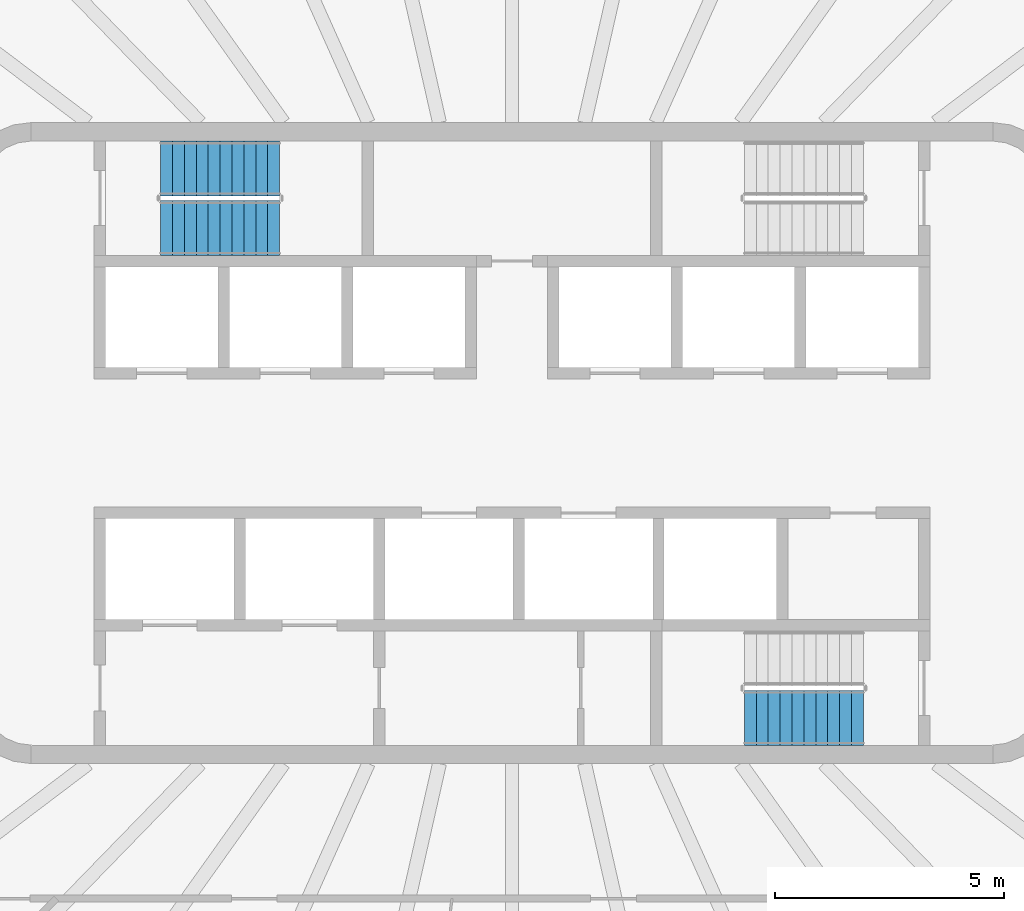
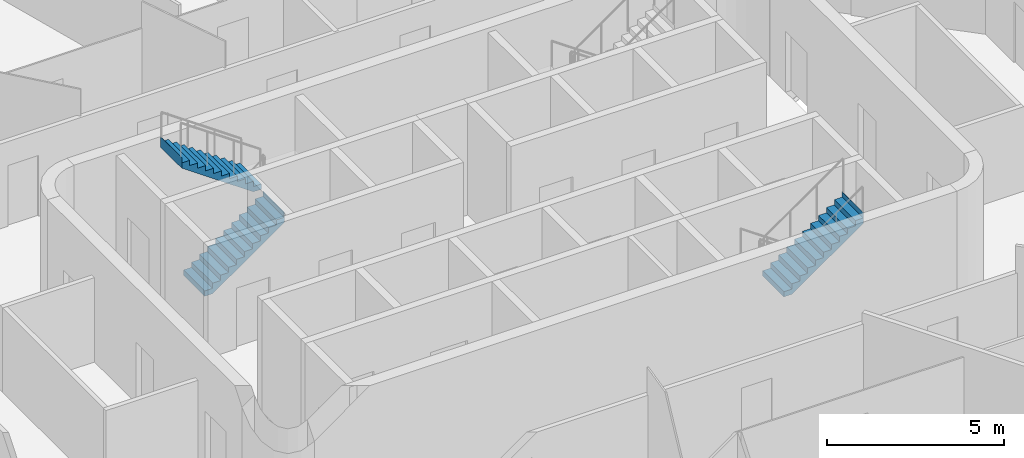
# One storey, part 14 of 21: 3 stair flights, 2 elements without a shape of their own.
"""IFC4 building model written with IfcOpenShell, lengths in metres."""

from ifc_helpers import new_model, si_unit, direction, frame, origin, place, context, subcontext, project, spatial, triangles, material, type_object, element, aggregate, save


model = new_model("IFC4")

# Units and contexts
model_context = context("Model", 3, precision=1e-05, world=origin(), true_north=direction((0.0, 1.0)))
body_context = subcontext(model_context, "Body", "Model", "MODEL_VIEW")
ifc_project = project(units=[si_unit("LENGTHUNIT", "METRE"), si_unit("AREAUNIT", "SQUARE_METRE"), si_unit("VOLUMEUNIT", "CUBIC_METRE"), si_unit("PLANEANGLEUNIT", "RADIAN"), si_unit("MASSUNIT", "GRAM", prefix="KILO")], contexts=[model_context])

# Site, building, storey
site_placement = place(None, origin())
site = spatial("IfcSite", under=ifc_project, at=site_placement, CompositionType="ELEMENT")
building_placement = place(site_placement, origin())
building = spatial("IfcBuilding", under=site, at=building_placement, Name="Sahrelin Media Tower", CompositionType="ELEMENT")
storey_placement = place(building_placement, frame((0.0, 0.0, 263.0)))
storey = spatial("IfcBuildingStorey", under=building, at=storey_placement, Name="L57", CompositionType="ELEMENT", Elevation=263.0)

# Stair, stair flights
ifc_material = material(Name="Concrete C40/50", Category="concrete")
stair_type = type_object("IfcStairType", Name="Exit stair 1200", PredefinedType="HALF_TURN_STAIR", material=ifc_material)
placement = place(storey_placement, origin())
stair_1 = element("IfcStair", 1, at=placement, inside=storey, type_object=stair_type, Name="L57 Exit stair ST1", PredefinedType="HALF_TURN_STAIR")
stair_flight_type = type_object("IfcStairFlightType", Name="Stair flight 1200", PredefinedType="STRAIGHT", material=ifc_material)
stair_flight_1_placement = place(storey_placement, frame((-7.675048828125, 4.699951171875, 0.0), z_axis=(0.0, 0.0, 1.0), x_axis=(1.0, 0.0, 0.0)))
stair_flight_1 = element("IfcStairFlight", 2, at=stair_flight_1_placement, type_object=stair_flight_type, Name="ST1 flight 1", NumberOfRisers=11, NumberOfTreads=10, PredefinedType="STRAIGHT", RiserHeight=0.181818182, TreadLength=0.26, context=body_context, shape_type="Tessellation", body=[
    triangles([(0.261474609375, 0.60009765625, 0.0), (0.261474609375, 0.300048828125, 0.0), (0.261474609375, 0.0, 0.0), (0.261474609375, -0.300048828125, 0.0), (0.261474609375, -0.60009765625, 0.0), (2.60009765625, 0.60009765625, 1.63525390625), (2.60009765625, 0.300048828125, 1.63525390625), (2.60009765625, 0.0, 1.63525390625), (2.60009765625, -0.300048828125, 1.63525390625), (2.60009765625, -0.60009765625, 1.63525390625), (2.60009765625, 0.60009765625, 2.0), (2.60009765625, 0.300048828125, 2.0), (2.60009765625, 0.0, 2.0), (2.60009765625, -0.300048828125, 2.0), (2.60009765625, -0.60009765625, 2.0), (2.597900390625, 0.60009765625, 2.0), (2.597900390625, 0.300048828125, 2.0), (2.597900390625, 0.0, 2.0), (2.597900390625, -0.300048828125, 2.0), (2.597900390625, -0.60009765625, 2.0), (2.597900390625, 0.60009765625, 1.818115234375), (2.597900390625, 0.300048828125, 1.818115234375), (2.597900390625, 0.0, 1.818115234375), (2.597900390625, -0.300048828125, 1.818115234375), (2.597900390625, -0.60009765625, 1.818115234375), (2.340087890625, 0.60009765625, 1.818115234375), (2.340087890625, 0.300048828125, 1.818115234375), (2.340087890625, 0.0, 1.818115234375), (2.340087890625, -0.300048828125, 1.818115234375), (2.340087890625, -0.60009765625, 1.818115234375), (2.340087890625, 0.60009765625, 1.636474609375), (2.340087890625, 0.300048828125, 1.636474609375), (2.340087890625, 0.0, 1.636474609375), (2.340087890625, -0.300048828125, 1.636474609375), (2.340087890625, -0.60009765625, 1.636474609375), (2.080078125, 0.60009765625, 1.636474609375), (2.080078125, 0.300048828125, 1.636474609375), (2.080078125, 0.0, 1.636474609375), (2.080078125, -0.300048828125, 1.636474609375), (2.080078125, -0.60009765625, 1.636474609375), (2.080078125, 0.60009765625, 1.45458984375), (2.080078125, 0.300048828125, 1.45458984375), (2.080078125, 0.0, 1.45458984375), (2.080078125, -0.300048828125, 1.45458984375), (2.080078125, -0.60009765625, 1.45458984375), (1.820068359375, 0.60009765625, 1.45458984375), (1.820068359375, 0.300048828125, 1.45458984375), (1.820068359375, 0.0, 1.45458984375), (1.820068359375, -0.300048828125, 1.45458984375), (1.820068359375, -0.60009765625, 1.45458984375), (1.820068359375, 0.60009765625, 1.272705078125), (1.820068359375, 0.300048828125, 1.272705078125), (1.820068359375, 0.0, 1.272705078125), (1.820068359375, -0.300048828125, 1.272705078125), (1.820068359375, -0.60009765625, 1.272705078125), (1.56005859375, 0.60009765625, 1.272705078125), (1.56005859375, 0.300048828125, 1.272705078125), (1.56005859375, 0.0, 1.272705078125), (1.56005859375, -0.300048828125, 1.272705078125), (1.56005859375, -0.60009765625, 1.272705078125), (1.56005859375, 0.60009765625, 1.0908203125), (1.56005859375, 0.300048828125, 1.0908203125), (1.56005859375, 0.0, 1.0908203125), (1.56005859375, -0.300048828125, 1.0908203125), (1.56005859375, -0.60009765625, 1.0908203125), (1.300048828125, 0.60009765625, 1.0908203125), (1.300048828125, 0.300048828125, 1.0908203125), (1.300048828125, 0.0, 1.0908203125), (1.300048828125, -0.300048828125, 1.0908203125), (1.300048828125, -0.60009765625, 1.0908203125), (1.300048828125, 0.60009765625, 0.9091796875), (1.300048828125, 0.300048828125, 0.9091796875), (1.300048828125, 0.0, 0.9091796875), (1.300048828125, -0.300048828125, 0.9091796875), (1.300048828125, -0.60009765625, 0.9091796875), (1.0400390625, 0.60009765625, 0.9091796875), (1.0400390625, 0.300048828125, 0.9091796875), (1.0400390625, 0.0, 0.9091796875), (1.0400390625, -0.300048828125, 0.9091796875), (1.0400390625, -0.60009765625, 0.9091796875), (1.0400390625, 0.60009765625, 0.727294921875), (1.0400390625, 0.300048828125, 0.727294921875), (1.0400390625, 0.0, 0.727294921875), (1.0400390625, -0.300048828125, 0.727294921875), (1.0400390625, -0.60009765625, 0.727294921875), (0.780029296875, 0.60009765625, 0.727294921875), (0.780029296875, 0.300048828125, 0.727294921875), (0.780029296875, 0.0, 0.727294921875), (0.780029296875, -0.300048828125, 0.727294921875), (0.780029296875, -0.60009765625, 0.727294921875), (0.780029296875, 0.60009765625, 0.54541015625), (0.780029296875, 0.300048828125, 0.54541015625), (0.780029296875, 0.0, 0.54541015625), (0.780029296875, -0.300048828125, 0.54541015625), (0.780029296875, -0.60009765625, 0.54541015625), (0.52001953125, 0.60009765625, 0.54541015625), (0.52001953125, 0.300048828125, 0.54541015625), (0.52001953125, 0.0, 0.54541015625), (0.52001953125, -0.300048828125, 0.54541015625), (0.52001953125, -0.60009765625, 0.54541015625), (0.52001953125, 0.60009765625, 0.363525390625), (0.52001953125, 0.300048828125, 0.363525390625), (0.52001953125, 0.0, 0.363525390625), (0.52001953125, -0.300048828125, 0.363525390625), (0.52001953125, -0.60009765625, 0.363525390625), (0.260009765625, 0.60009765625, 0.363525390625), (0.260009765625, 0.300048828125, 0.363525390625), (0.260009765625, 0.0, 0.363525390625), (0.260009765625, -0.300048828125, 0.363525390625), (0.260009765625, -0.60009765625, 0.363525390625), (0.260009765625, 0.60009765625, 0.181884765625), (0.260009765625, 0.300048828125, 0.181884765625), (0.260009765625, 0.0, 0.181884765625), (0.260009765625, -0.300048828125, 0.181884765625), (0.260009765625, -0.60009765625, 0.181884765625), (0.0, 0.60009765625, 0.181884765625), (0.0, 0.300048828125, 0.181884765625), (0.0, 0.0, 0.181884765625), (0.0, -0.300048828125, 0.181884765625), (0.0, -0.60009765625, 0.181884765625), (0.0, 0.60009765625, 0.0), (0.0, 0.300048828125, 0.0), (0.0, 0.0, 0.0), (0.0, -0.300048828125, 0.0), (0.0, -0.60009765625, 0.0)], [[1, 6, 7], [1, 7, 2], [2, 7, 8], [2, 8, 3], [3, 8, 9], [3, 9, 4], [4, 9, 10], [4, 10, 5], [6, 11, 12], [6, 12, 7], [7, 12, 13], [7, 13, 8], [8, 13, 14], [8, 14, 9], [9, 14, 15], [9, 15, 10], [11, 16, 17], [11, 17, 12], [12, 17, 18], [12, 18, 13], [13, 18, 19], [13, 19, 14], [14, 19, 20], [14, 20, 15], [16, 21, 22], [16, 22, 17], [17, 22, 23], [17, 23, 18], [18, 23, 24], [18, 24, 19], [19, 24, 25], [19, 25, 20], [21, 26, 27], [21, 27, 22], [22, 27, 28], [22, 28, 23], [23, 28, 29], [23, 29, 24], [24, 29, 30], [24, 30, 25], [26, 31, 32], [26, 32, 27], [27, 32, 33], [27, 33, 28], [28, 33, 34], [28, 34, 29], [29, 34, 35], [29, 35, 30], [31, 36, 37], [31, 37, 32], [32, 37, 38], [32, 38, 33], [33, 38, 39], [33, 39, 34], [34, 39, 40], [34, 40, 35], [36, 41, 42], [36, 42, 37], [37, 42, 43], [37, 43, 38], [38, 43, 44], [38, 44, 39], [39, 44, 45], [39, 45, 40], [41, 46, 47], [41, 47, 42], [42, 47, 48], [42, 48, 43], [43, 48, 49], [43, 49, 44], [44, 49, 50], [44, 50, 45], [46, 51, 52], [46, 52, 47], [47, 52, 53], [47, 53, 48], [48, 53, 54], [48, 54, 49], [49, 54, 55], [49, 55, 50], [51, 56, 57], [51, 57, 52], [52, 57, 58], [52, 58, 53], [53, 58, 59], [53, 59, 54], [54, 59, 60], [54, 60, 55], [56, 61, 62], [56, 62, 57], [57, 62, 63], [57, 63, 58], [58, 63, 64], [58, 64, 59], [59, 64, 65], [59, 65, 60], [61, 66, 67], [61, 67, 62], [62, 67, 68], [62, 68, 63], [63, 68, 69], [63, 69, 64], [64, 69, 70], [64, 70, 65], [66, 71, 72], [66, 72, 67], [67, 72, 73], [67, 73, 68], [68, 73, 74], [68, 74, 69], [69, 74, 75], [69, 75, 70], [71, 76, 77], [71, 77, 72], [72, 77, 78], [72, 78, 73], [73, 78, 79], [73, 79, 74], [74, 79, 80], [74, 80, 75], [76, 81, 82], [76, 82, 77], [77, 82, 83], [77, 83, 78], [78, 83, 84], [78, 84, 79], [79, 84, 85], [79, 85, 80], [81, 86, 87], [81, 87, 82], [82, 87, 88], [82, 88, 83], [83, 88, 89], [83, 89, 84], [84, 89, 90], [84, 90, 85], [86, 91, 92], [86, 92, 87], [87, 92, 93], [87, 93, 88], [88, 93, 94], [88, 94, 89], [89, 94, 95], [89, 95, 90], [91, 96, 97], [91, 97, 92], [92, 97, 98], [92, 98, 93], [93, 98, 99], [93, 99, 94], [94, 99, 100], [94, 100, 95], [96, 101, 102], [96, 102, 97], [97, 102, 103], [97, 103, 98], [98, 103, 104], [98, 104, 99], [99, 104, 105], [99, 105, 100], [101, 106, 107], [101, 107, 102], [102, 107, 108], [102, 108, 103], [103, 108, 109], [103, 109, 104], [104, 109, 110], [104, 110, 105], [106, 111, 112], [106, 112, 107], [107, 112, 113], [107, 113, 108], [108, 113, 114], [108, 114, 109], [109, 114, 115], [109, 115, 110], [111, 116, 117], [111, 117, 112], [112, 117, 118], [112, 118, 113], [113, 118, 119], [113, 119, 114], [114, 119, 120], [114, 120, 115], [116, 121, 122], [116, 122, 117], [117, 122, 123], [117, 123, 118], [118, 123, 124], [118, 124, 119], [119, 124, 125], [119, 125, 120], [121, 1, 2], [121, 2, 122], [122, 2, 3], [122, 3, 123], [123, 3, 4], [123, 4, 124], [124, 4, 5], [124, 5, 125], [115, 120, 125], [111, 121, 116], [115, 105, 110], [111, 106, 101], [105, 95, 100], [101, 96, 91], [95, 85, 90], [91, 86, 81], [85, 75, 80], [81, 76, 71], [75, 65, 70], [71, 66, 61], [65, 55, 60], [61, 56, 51], [55, 45, 50], [51, 46, 41], [45, 35, 40], [41, 36, 31], [35, 25, 30], [31, 26, 21], [25, 15, 20], [21, 16, 11], [125, 5, 115], [121, 111, 1], [25, 10, 15], [21, 11, 6], [105, 115, 5], [101, 1, 111], [35, 10, 25], [31, 21, 6], [95, 105, 5], [91, 1, 101], [45, 10, 35], [41, 31, 6], [85, 95, 5], [81, 1, 91], [55, 10, 45], [51, 41, 6], [75, 85, 5], [71, 1, 81], [65, 10, 55], [61, 51, 6], [5, 10, 75], [1, 71, 6], [75, 10, 65], [71, 61, 6]], closed=True),
])
stair_flight_2_placement = place(storey_placement, frame((-5.074951171875, 6.0, 2.0), z_axis=(0.0, 0.0, 1.0), x_axis=(-1.0, 0.0, 0.0)))
stair_flight_2 = element("IfcStairFlight", 3, at=stair_flight_2_placement, type_object=stair_flight_type, Name="ST1 flight 2", NumberOfRisers=11, NumberOfTreads=10, PredefinedType="STRAIGHT", RiserHeight=0.181818182, TreadLength=0.26, context=body_context, shape_type="Tessellation", body=[
    triangles([(0.261474609375, 0.60009765625, 0.0), (0.261474609375, 0.300048828125, 0.0), (0.261474609375, 0.0, 0.0), (0.261474609375, -0.300048828125, 0.0), (0.261474609375, -0.60009765625, 0.0), (2.60009765625, 0.60009765625, 1.63525390625), (2.60009765625, 0.300048828125, 1.63525390625), (2.60009765625, 0.0, 1.63525390625), (2.60009765625, -0.300048828125, 1.63525390625), (2.60009765625, -0.60009765625, 1.63525390625), (2.60009765625, 0.60009765625, 2.0), (2.60009765625, 0.300048828125, 2.0), (2.60009765625, 0.0, 2.0), (2.60009765625, -0.300048828125, 2.0), (2.60009765625, -0.60009765625, 2.0), (2.597900390625, 0.60009765625, 2.0), (2.597900390625, 0.300048828125, 2.0), (2.597900390625, 0.0, 2.0), (2.597900390625, -0.300048828125, 2.0), (2.597900390625, -0.60009765625, 2.0), (2.597900390625, 0.60009765625, 1.818115234375), (2.597900390625, 0.300048828125, 1.818115234375), (2.597900390625, 0.0, 1.818115234375), (2.597900390625, -0.300048828125, 1.818115234375), (2.597900390625, -0.60009765625, 1.818115234375), (2.340087890625, 0.60009765625, 1.818115234375), (2.340087890625, 0.300048828125, 1.818115234375), (2.340087890625, 0.0, 1.818115234375), (2.340087890625, -0.300048828125, 1.818115234375), (2.340087890625, -0.60009765625, 1.818115234375), (2.340087890625, 0.60009765625, 1.636474609375), (2.340087890625, 0.300048828125, 1.636474609375), (2.340087890625, 0.0, 1.636474609375), (2.340087890625, -0.300048828125, 1.636474609375), (2.340087890625, -0.60009765625, 1.636474609375), (2.080078125, 0.60009765625, 1.636474609375), (2.080078125, 0.300048828125, 1.636474609375), (2.080078125, 0.0, 1.636474609375), (2.080078125, -0.300048828125, 1.636474609375), (2.080078125, -0.60009765625, 1.636474609375), (2.080078125, 0.60009765625, 1.45458984375), (2.080078125, 0.300048828125, 1.45458984375), (2.080078125, 0.0, 1.45458984375), (2.080078125, -0.300048828125, 1.45458984375), (2.080078125, -0.60009765625, 1.45458984375), (1.820068359375, 0.60009765625, 1.45458984375), (1.820068359375, 0.300048828125, 1.45458984375), (1.820068359375, 0.0, 1.45458984375), (1.820068359375, -0.300048828125, 1.45458984375), (1.820068359375, -0.60009765625, 1.45458984375), (1.820068359375, 0.60009765625, 1.272705078125), (1.820068359375, 0.300048828125, 1.272705078125), (1.820068359375, 0.0, 1.272705078125), (1.820068359375, -0.300048828125, 1.272705078125), (1.820068359375, -0.60009765625, 1.272705078125), (1.56005859375, 0.60009765625, 1.272705078125), (1.56005859375, 0.300048828125, 1.272705078125), (1.56005859375, 0.0, 1.272705078125), (1.56005859375, -0.300048828125, 1.272705078125), (1.56005859375, -0.60009765625, 1.272705078125), (1.56005859375, 0.60009765625, 1.0908203125), (1.56005859375, 0.300048828125, 1.0908203125), (1.56005859375, 0.0, 1.0908203125), (1.56005859375, -0.300048828125, 1.0908203125), (1.56005859375, -0.60009765625, 1.0908203125), (1.300048828125, 0.60009765625, 1.0908203125), (1.300048828125, 0.300048828125, 1.0908203125), (1.300048828125, 0.0, 1.0908203125), (1.300048828125, -0.300048828125, 1.0908203125), (1.300048828125, -0.60009765625, 1.0908203125), (1.300048828125, 0.60009765625, 0.9091796875), (1.300048828125, 0.300048828125, 0.9091796875), (1.300048828125, 0.0, 0.9091796875), (1.300048828125, -0.300048828125, 0.9091796875), (1.300048828125, -0.60009765625, 0.9091796875), (1.0400390625, 0.60009765625, 0.9091796875), (1.0400390625, 0.300048828125, 0.9091796875), (1.0400390625, 0.0, 0.9091796875), (1.0400390625, -0.300048828125, 0.9091796875), (1.0400390625, -0.60009765625, 0.9091796875), (1.0400390625, 0.60009765625, 0.727294921875), (1.0400390625, 0.300048828125, 0.727294921875), (1.0400390625, 0.0, 0.727294921875), (1.0400390625, -0.300048828125, 0.727294921875), (1.0400390625, -0.60009765625, 0.727294921875), (0.780029296875, 0.60009765625, 0.727294921875), (0.780029296875, 0.300048828125, 0.727294921875), (0.780029296875, 0.0, 0.727294921875), (0.780029296875, -0.300048828125, 0.727294921875), (0.780029296875, -0.60009765625, 0.727294921875), (0.780029296875, 0.60009765625, 0.54541015625), (0.780029296875, 0.300048828125, 0.54541015625), (0.780029296875, 0.0, 0.54541015625), (0.780029296875, -0.300048828125, 0.54541015625), (0.780029296875, -0.60009765625, 0.54541015625), (0.52001953125, 0.60009765625, 0.54541015625), (0.52001953125, 0.300048828125, 0.54541015625), (0.52001953125, 0.0, 0.54541015625), (0.52001953125, -0.300048828125, 0.54541015625), (0.52001953125, -0.60009765625, 0.54541015625), (0.52001953125, 0.60009765625, 0.363525390625), (0.52001953125, 0.300048828125, 0.363525390625), (0.52001953125, 0.0, 0.363525390625), (0.52001953125, -0.300048828125, 0.363525390625), (0.52001953125, -0.60009765625, 0.363525390625), (0.260009765625, 0.60009765625, 0.363525390625), (0.260009765625, 0.300048828125, 0.363525390625), (0.260009765625, 0.0, 0.363525390625), (0.260009765625, -0.300048828125, 0.363525390625), (0.260009765625, -0.60009765625, 0.363525390625), (0.260009765625, 0.60009765625, 0.181884765625), (0.260009765625, 0.300048828125, 0.181884765625), (0.260009765625, 0.0, 0.181884765625), (0.260009765625, -0.300048828125, 0.181884765625), (0.260009765625, -0.60009765625, 0.181884765625), (0.0, 0.60009765625, 0.181884765625), (0.0, 0.300048828125, 0.181884765625), (0.0, 0.0, 0.181884765625), (0.0, -0.300048828125, 0.181884765625), (0.0, -0.60009765625, 0.181884765625), (0.0, 0.60009765625, 0.0), (0.0, 0.300048828125, 0.0), (0.0, 0.0, 0.0), (0.0, -0.300048828125, 0.0), (0.0, -0.60009765625, 0.0)], [[1, 6, 7], [1, 7, 2], [2, 7, 8], [2, 8, 3], [3, 8, 9], [3, 9, 4], [4, 9, 10], [4, 10, 5], [6, 11, 12], [6, 12, 7], [7, 12, 13], [7, 13, 8], [8, 13, 14], [8, 14, 9], [9, 14, 15], [9, 15, 10], [11, 16, 17], [11, 17, 12], [12, 17, 18], [12, 18, 13], [13, 18, 19], [13, 19, 14], [14, 19, 20], [14, 20, 15], [16, 21, 22], [16, 22, 17], [17, 22, 23], [17, 23, 18], [18, 23, 24], [18, 24, 19], [19, 24, 25], [19, 25, 20], [21, 26, 27], [21, 27, 22], [22, 27, 28], [22, 28, 23], [23, 28, 29], [23, 29, 24], [24, 29, 30], [24, 30, 25], [26, 31, 32], [26, 32, 27], [27, 32, 33], [27, 33, 28], [28, 33, 34], [28, 34, 29], [29, 34, 35], [29, 35, 30], [31, 36, 37], [31, 37, 32], [32, 37, 38], [32, 38, 33], [33, 38, 39], [33, 39, 34], [34, 39, 40], [34, 40, 35], [36, 41, 42], [36, 42, 37], [37, 42, 43], [37, 43, 38], [38, 43, 44], [38, 44, 39], [39, 44, 45], [39, 45, 40], [41, 46, 47], [41, 47, 42], [42, 47, 48], [42, 48, 43], [43, 48, 49], [43, 49, 44], [44, 49, 50], [44, 50, 45], [46, 51, 52], [46, 52, 47], [47, 52, 53], [47, 53, 48], [48, 53, 54], [48, 54, 49], [49, 54, 55], [49, 55, 50], [51, 56, 57], [51, 57, 52], [52, 57, 58], [52, 58, 53], [53, 58, 59], [53, 59, 54], [54, 59, 60], [54, 60, 55], [56, 61, 62], [56, 62, 57], [57, 62, 63], [57, 63, 58], [58, 63, 64], [58, 64, 59], [59, 64, 65], [59, 65, 60], [61, 66, 67], [61, 67, 62], [62, 67, 68], [62, 68, 63], [63, 68, 69], [63, 69, 64], [64, 69, 70], [64, 70, 65], [66, 71, 72], [66, 72, 67], [67, 72, 73], [67, 73, 68], [68, 73, 74], [68, 74, 69], [69, 74, 75], [69, 75, 70], [71, 76, 77], [71, 77, 72], [72, 77, 78], [72, 78, 73], [73, 78, 79], [73, 79, 74], [74, 79, 80], [74, 80, 75], [76, 81, 82], [76, 82, 77], [77, 82, 83], [77, 83, 78], [78, 83, 84], [78, 84, 79], [79, 84, 85], [79, 85, 80], [81, 86, 87], [81, 87, 82], [82, 87, 88], [82, 88, 83], [83, 88, 89], [83, 89, 84], [84, 89, 90], [84, 90, 85], [86, 91, 92], [86, 92, 87], [87, 92, 93], [87, 93, 88], [88, 93, 94], [88, 94, 89], [89, 94, 95], [89, 95, 90], [91, 96, 97], [91, 97, 92], [92, 97, 98], [92, 98, 93], [93, 98, 99], [93, 99, 94], [94, 99, 100], [94, 100, 95], [96, 101, 102], [96, 102, 97], [97, 102, 103], [97, 103, 98], [98, 103, 104], [98, 104, 99], [99, 104, 105], [99, 105, 100], [101, 106, 107], [101, 107, 102], [102, 107, 108], [102, 108, 103], [103, 108, 109], [103, 109, 104], [104, 109, 110], [104, 110, 105], [106, 111, 112], [106, 112, 107], [107, 112, 113], [107, 113, 108], [108, 113, 114], [108, 114, 109], [109, 114, 115], [109, 115, 110], [111, 116, 117], [111, 117, 112], [112, 117, 118], [112, 118, 113], [113, 118, 119], [113, 119, 114], [114, 119, 120], [114, 120, 115], [116, 121, 122], [116, 122, 117], [117, 122, 123], [117, 123, 118], [118, 123, 124], [118, 124, 119], [119, 124, 125], [119, 125, 120], [121, 1, 2], [121, 2, 122], [122, 2, 3], [122, 3, 123], [123, 3, 4], [123, 4, 124], [124, 4, 5], [124, 5, 125], [115, 120, 125], [111, 121, 116], [115, 105, 110], [111, 106, 101], [105, 95, 100], [101, 96, 91], [95, 85, 90], [91, 86, 81], [85, 75, 80], [81, 76, 71], [75, 65, 70], [71, 66, 61], [65, 55, 60], [61, 56, 51], [55, 45, 50], [51, 46, 41], [45, 35, 40], [41, 36, 31], [35, 25, 30], [31, 26, 21], [25, 15, 20], [21, 16, 11], [125, 5, 115], [121, 111, 1], [25, 10, 15], [21, 11, 6], [105, 115, 5], [101, 1, 111], [35, 10, 25], [31, 21, 6], [95, 105, 5], [91, 1, 101], [45, 10, 35], [41, 31, 6], [85, 95, 5], [81, 1, 91], [55, 10, 45], [51, 41, 6], [75, 85, 5], [71, 1, 81], [65, 10, 55], [61, 51, 6], [5, 10, 75], [1, 71, 6], [75, 10, 65], [71, 61, 6]], closed=True),
])
aggregate(stair_1, [stair_flight_1, stair_flight_2])

# Stair, stair flight
stair_2 = element("IfcStair", 4, at=placement, inside=storey, type_object=stair_type, Name="L57 Exit stair ST2", PredefinedType="HALF_TURN_STAIR")
stair_flight_3_placement = place(storey_placement, frame((5.074951171875, -6.0, 2.0), z_axis=(0.0, 0.0, 1.0), x_axis=(1.0, 0.0, 0.0)))
stair_flight_3 = element("IfcStairFlight", 5, at=stair_flight_3_placement, type_object=stair_flight_type, Name="ST2 flight 2", NumberOfRisers=11, NumberOfTreads=10, PredefinedType="STRAIGHT", RiserHeight=0.181818182, TreadLength=0.26, context=body_context, shape_type="Tessellation", body=[
    triangles([(0.261474609375, 0.60009765625, 0.0), (0.261474609375, 0.300048828125, 0.0), (0.261474609375, 0.0, 0.0), (0.261474609375, -0.300048828125, 0.0), (0.261474609375, -0.60009765625, 0.0), (2.60009765625, 0.60009765625, 1.63525390625), (2.60009765625, 0.300048828125, 1.63525390625), (2.60009765625, 0.0, 1.63525390625), (2.60009765625, -0.300048828125, 1.63525390625), (2.60009765625, -0.60009765625, 1.63525390625), (2.60009765625, 0.60009765625, 2.0), (2.60009765625, 0.300048828125, 2.0), (2.60009765625, 0.0, 2.0), (2.60009765625, -0.300048828125, 2.0), (2.60009765625, -0.60009765625, 2.0), (2.597900390625, 0.60009765625, 2.0), (2.597900390625, 0.300048828125, 2.0), (2.597900390625, 0.0, 2.0), (2.597900390625, -0.300048828125, 2.0), (2.597900390625, -0.60009765625, 2.0), (2.597900390625, 0.60009765625, 1.818115234375), (2.597900390625, 0.300048828125, 1.818115234375), (2.597900390625, 0.0, 1.818115234375), (2.597900390625, -0.300048828125, 1.818115234375), (2.597900390625, -0.60009765625, 1.818115234375), (2.340087890625, 0.60009765625, 1.818115234375), (2.340087890625, 0.300048828125, 1.818115234375), (2.340087890625, 0.0, 1.818115234375), (2.340087890625, -0.300048828125, 1.818115234375), (2.340087890625, -0.60009765625, 1.818115234375), (2.340087890625, 0.60009765625, 1.636474609375), (2.340087890625, 0.300048828125, 1.636474609375), (2.340087890625, 0.0, 1.636474609375), (2.340087890625, -0.300048828125, 1.636474609375), (2.340087890625, -0.60009765625, 1.636474609375), (2.080078125, 0.60009765625, 1.636474609375), (2.080078125, 0.300048828125, 1.636474609375), (2.080078125, 0.0, 1.636474609375), (2.080078125, -0.300048828125, 1.636474609375), (2.080078125, -0.60009765625, 1.636474609375), (2.080078125, 0.60009765625, 1.45458984375), (2.080078125, 0.300048828125, 1.45458984375), (2.080078125, 0.0, 1.45458984375), (2.080078125, -0.300048828125, 1.45458984375), (2.080078125, -0.60009765625, 1.45458984375), (1.820068359375, 0.60009765625, 1.45458984375), (1.820068359375, 0.300048828125, 1.45458984375), (1.820068359375, 0.0, 1.45458984375), (1.820068359375, -0.300048828125, 1.45458984375), (1.820068359375, -0.60009765625, 1.45458984375), (1.820068359375, 0.60009765625, 1.272705078125), (1.820068359375, 0.300048828125, 1.272705078125), (1.820068359375, 0.0, 1.272705078125), (1.820068359375, -0.300048828125, 1.272705078125), (1.820068359375, -0.60009765625, 1.272705078125), (1.56005859375, 0.60009765625, 1.272705078125), (1.56005859375, 0.300048828125, 1.272705078125), (1.56005859375, 0.0, 1.272705078125), (1.56005859375, -0.300048828125, 1.272705078125), (1.56005859375, -0.60009765625, 1.272705078125), (1.56005859375, 0.60009765625, 1.0908203125), (1.56005859375, 0.300048828125, 1.0908203125), (1.56005859375, 0.0, 1.0908203125), (1.56005859375, -0.300048828125, 1.0908203125), (1.56005859375, -0.60009765625, 1.0908203125), (1.300048828125, 0.60009765625, 1.0908203125), (1.300048828125, 0.300048828125, 1.0908203125), (1.300048828125, 0.0, 1.0908203125), (1.300048828125, -0.300048828125, 1.0908203125), (1.300048828125, -0.60009765625, 1.0908203125), (1.300048828125, 0.60009765625, 0.9091796875), (1.300048828125, 0.300048828125, 0.9091796875), (1.300048828125, 0.0, 0.9091796875), (1.300048828125, -0.300048828125, 0.9091796875), (1.300048828125, -0.60009765625, 0.9091796875), (1.0400390625, 0.60009765625, 0.9091796875), (1.0400390625, 0.300048828125, 0.9091796875), (1.0400390625, 0.0, 0.9091796875), (1.0400390625, -0.300048828125, 0.9091796875), (1.0400390625, -0.60009765625, 0.9091796875), (1.0400390625, 0.60009765625, 0.727294921875), (1.0400390625, 0.300048828125, 0.727294921875), (1.0400390625, 0.0, 0.727294921875), (1.0400390625, -0.300048828125, 0.727294921875), (1.0400390625, -0.60009765625, 0.727294921875), (0.780029296875, 0.60009765625, 0.727294921875), (0.780029296875, 0.300048828125, 0.727294921875), (0.780029296875, 0.0, 0.727294921875), (0.780029296875, -0.300048828125, 0.727294921875), (0.780029296875, -0.60009765625, 0.727294921875), (0.780029296875, 0.60009765625, 0.54541015625), (0.780029296875, 0.300048828125, 0.54541015625), (0.780029296875, 0.0, 0.54541015625), (0.780029296875, -0.300048828125, 0.54541015625), (0.780029296875, -0.60009765625, 0.54541015625), (0.52001953125, 0.60009765625, 0.54541015625), (0.52001953125, 0.300048828125, 0.54541015625), (0.52001953125, 0.0, 0.54541015625), (0.52001953125, -0.300048828125, 0.54541015625), (0.52001953125, -0.60009765625, 0.54541015625), (0.52001953125, 0.60009765625, 0.363525390625), (0.52001953125, 0.300048828125, 0.363525390625), (0.52001953125, 0.0, 0.363525390625), (0.52001953125, -0.300048828125, 0.363525390625), (0.52001953125, -0.60009765625, 0.363525390625), (0.260009765625, 0.60009765625, 0.363525390625), (0.260009765625, 0.300048828125, 0.363525390625), (0.260009765625, 0.0, 0.363525390625), (0.260009765625, -0.300048828125, 0.363525390625), (0.260009765625, -0.60009765625, 0.363525390625), (0.260009765625, 0.60009765625, 0.181884765625), (0.260009765625, 0.300048828125, 0.181884765625), (0.260009765625, 0.0, 0.181884765625), (0.260009765625, -0.300048828125, 0.181884765625), (0.260009765625, -0.60009765625, 0.181884765625), (0.0, 0.60009765625, 0.181884765625), (0.0, 0.300048828125, 0.181884765625), (0.0, 0.0, 0.181884765625), (0.0, -0.300048828125, 0.181884765625), (0.0, -0.60009765625, 0.181884765625), (0.0, 0.60009765625, 0.0), (0.0, 0.300048828125, 0.0), (0.0, 0.0, 0.0), (0.0, -0.300048828125, 0.0), (0.0, -0.60009765625, 0.0)], [[1, 6, 7], [1, 7, 2], [2, 7, 8], [2, 8, 3], [3, 8, 9], [3, 9, 4], [4, 9, 10], [4, 10, 5], [6, 11, 12], [6, 12, 7], [7, 12, 13], [7, 13, 8], [8, 13, 14], [8, 14, 9], [9, 14, 15], [9, 15, 10], [11, 16, 17], [11, 17, 12], [12, 17, 18], [12, 18, 13], [13, 18, 19], [13, 19, 14], [14, 19, 20], [14, 20, 15], [16, 21, 22], [16, 22, 17], [17, 22, 23], [17, 23, 18], [18, 23, 24], [18, 24, 19], [19, 24, 25], [19, 25, 20], [21, 26, 27], [21, 27, 22], [22, 27, 28], [22, 28, 23], [23, 28, 29], [23, 29, 24], [24, 29, 30], [24, 30, 25], [26, 31, 32], [26, 32, 27], [27, 32, 33], [27, 33, 28], [28, 33, 34], [28, 34, 29], [29, 34, 35], [29, 35, 30], [31, 36, 37], [31, 37, 32], [32, 37, 38], [32, 38, 33], [33, 38, 39], [33, 39, 34], [34, 39, 40], [34, 40, 35], [36, 41, 42], [36, 42, 37], [37, 42, 43], [37, 43, 38], [38, 43, 44], [38, 44, 39], [39, 44, 45], [39, 45, 40], [41, 46, 47], [41, 47, 42], [42, 47, 48], [42, 48, 43], [43, 48, 49], [43, 49, 44], [44, 49, 50], [44, 50, 45], [46, 51, 52], [46, 52, 47], [47, 52, 53], [47, 53, 48], [48, 53, 54], [48, 54, 49], [49, 54, 55], [49, 55, 50], [51, 56, 57], [51, 57, 52], [52, 57, 58], [52, 58, 53], [53, 58, 59], [53, 59, 54], [54, 59, 60], [54, 60, 55], [56, 61, 62], [56, 62, 57], [57, 62, 63], [57, 63, 58], [58, 63, 64], [58, 64, 59], [59, 64, 65], [59, 65, 60], [61, 66, 67], [61, 67, 62], [62, 67, 68], [62, 68, 63], [63, 68, 69], [63, 69, 64], [64, 69, 70], [64, 70, 65], [66, 71, 72], [66, 72, 67], [67, 72, 73], [67, 73, 68], [68, 73, 74], [68, 74, 69], [69, 74, 75], [69, 75, 70], [71, 76, 77], [71, 77, 72], [72, 77, 78], [72, 78, 73], [73, 78, 79], [73, 79, 74], [74, 79, 80], [74, 80, 75], [76, 81, 82], [76, 82, 77], [77, 82, 83], [77, 83, 78], [78, 83, 84], [78, 84, 79], [79, 84, 85], [79, 85, 80], [81, 86, 87], [81, 87, 82], [82, 87, 88], [82, 88, 83], [83, 88, 89], [83, 89, 84], [84, 89, 90], [84, 90, 85], [86, 91, 92], [86, 92, 87], [87, 92, 93], [87, 93, 88], [88, 93, 94], [88, 94, 89], [89, 94, 95], [89, 95, 90], [91, 96, 97], [91, 97, 92], [92, 97, 98], [92, 98, 93], [93, 98, 99], [93, 99, 94], [94, 99, 100], [94, 100, 95], [96, 101, 102], [96, 102, 97], [97, 102, 103], [97, 103, 98], [98, 103, 104], [98, 104, 99], [99, 104, 105], [99, 105, 100], [101, 106, 107], [101, 107, 102], [102, 107, 108], [102, 108, 103], [103, 108, 109], [103, 109, 104], [104, 109, 110], [104, 110, 105], [106, 111, 112], [106, 112, 107], [107, 112, 113], [107, 113, 108], [108, 113, 114], [108, 114, 109], [109, 114, 115], [109, 115, 110], [111, 116, 117], [111, 117, 112], [112, 117, 118], [112, 118, 113], [113, 118, 119], [113, 119, 114], [114, 119, 120], [114, 120, 115], [116, 121, 122], [116, 122, 117], [117, 122, 123], [117, 123, 118], [118, 123, 124], [118, 124, 119], [119, 124, 125], [119, 125, 120], [121, 1, 2], [121, 2, 122], [122, 2, 3], [122, 3, 123], [123, 3, 4], [123, 4, 124], [124, 4, 5], [124, 5, 125], [115, 120, 125], [111, 121, 116], [115, 105, 110], [111, 106, 101], [105, 95, 100], [101, 96, 91], [95, 85, 90], [91, 86, 81], [85, 75, 80], [81, 76, 71], [75, 65, 70], [71, 66, 61], [65, 55, 60], [61, 56, 51], [55, 45, 50], [51, 46, 41], [45, 35, 40], [41, 36, 31], [35, 25, 30], [31, 26, 21], [25, 15, 20], [21, 16, 11], [125, 5, 115], [121, 111, 1], [25, 10, 15], [21, 11, 6], [105, 115, 5], [101, 1, 111], [35, 10, 25], [31, 21, 6], [95, 105, 5], [91, 1, 101], [45, 10, 35], [41, 31, 6], [85, 95, 5], [81, 1, 91], [55, 10, 45], [51, 41, 6], [75, 85, 5], [71, 1, 81], [65, 10, 55], [61, 51, 6], [5, 10, 75], [1, 71, 6], [75, 10, 65], [71, 61, 6]], closed=True),
])
aggregate(stair_2, [stair_flight_3])

save(model, "model.ifc")
